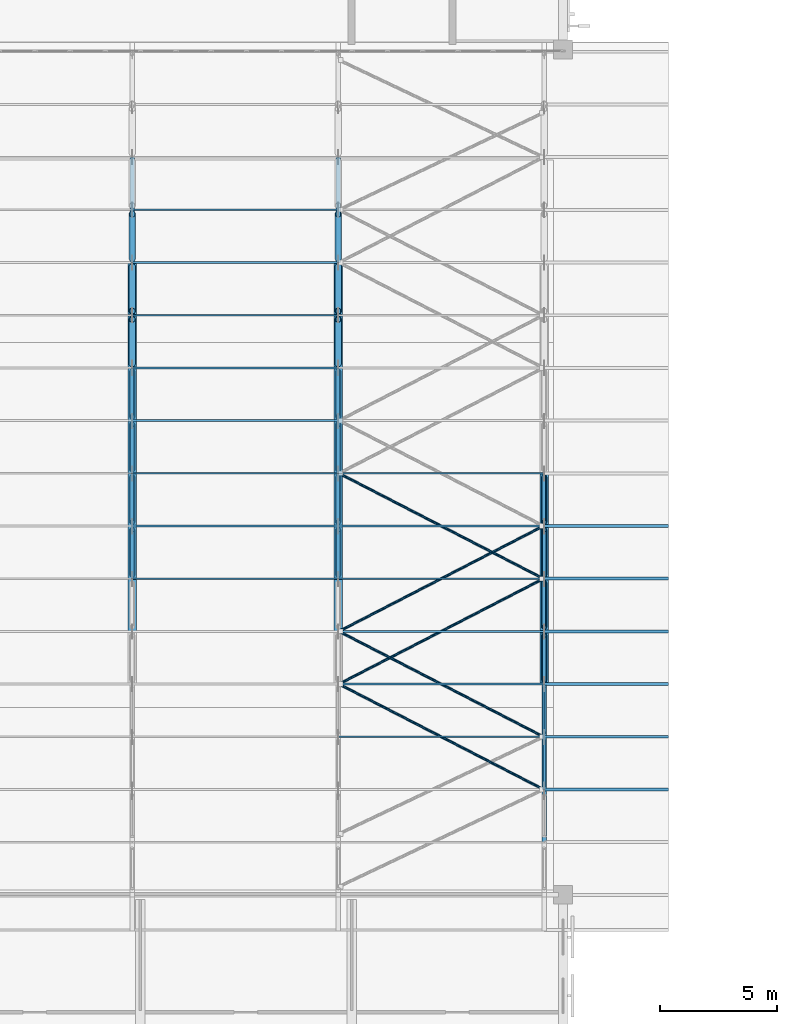
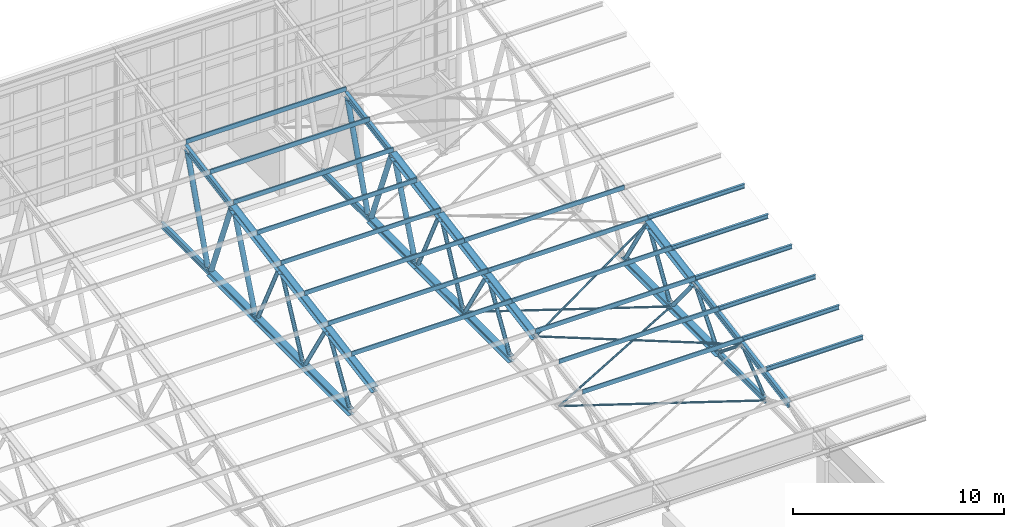
# One storey, part 63 of 185: 67 members.
"""IFC4 building model written with IfcOpenShell, lengths in metres."""

from ifc_helpers import new_model, si_unit, direction, frame, origin, origin_2d, place, context, subcontext, project, spatial, polyline, hollow_circle, i_section, outline, extrude, material, material_profile, profile_set, type_object, element, save


model = new_model("IFC4")

# Units and contexts
model_context = context("Model", 3, precision=1e-05, world=origin(), true_north=direction((0.0, 1.0)))
body_context = subcontext(model_context, "Body", "Model", "MODEL_VIEW")
ifc_project = project(units=[si_unit("LENGTHUNIT", "METRE"), si_unit("AREAUNIT", "SQUARE_METRE"), si_unit("VOLUMEUNIT", "CUBIC_METRE"), si_unit("PLANEANGLEUNIT", "RADIAN"), si_unit("MASSUNIT", "GRAM", prefix="KILO")], contexts=[model_context])

# Site, building, storey
site_placement = place(None, origin())
site = spatial("IfcSite", under=ifc_project, at=site_placement, CompositionType="ELEMENT")
building_placement = place(site_placement, origin())
building = spatial("IfcBuilding", under=site, at=building_placement, Name="Opaline Strait Convention Centre", CompositionType="ELEMENT")
storey_placement = place(building_placement, frame((0.0, 0.0, 6.0)))
storey = spatial("IfcBuildingStorey", under=building, at=storey_placement, Name="L01", CompositionType="ELEMENT", Elevation=6.0)

# Members
ifc_material = material(Name="Steel Q355B", Category="steel")
ifc_material_profile_1 = material_profile(ifc_material, i_section(OverallWidth=0.125, OverallDepth=0.25, WebThickness=0.006103515625, FlangeThickness=0.009033203125, FilletRadius=0.008056640625, at=origin_2d()), Name="HN 250x125x6x9")
ifc_profile_set_1 = profile_set([ifc_material_profile_1], Name="Steel Q355B")
member_type_1 = type_object("IfcMemberType", Name="Eaves purlin HN 250x125x6x9", PredefinedType="RAFTER", material=ifc_profile_set_1)
for number, where, z_axis, x_axis, name in (
    (1, (350.199951171875, 31.487548828125, 6.3017578125), (1.0, 0.0, 0.0), (0.0, 1.0, 0.0), "BU2 purlin line 4 bay 9"),
    (2, (350.199951171875, 33.731201171875, 6.697509765625), (1.0, 0.0, 0.0), (0.0, 1.0, 0.0), "BU2 purlin line 5 bay 9"),
    (3, (350.199951171875, 35.97509765625, 7.093017578125), (1.0, 0.0, 0.0), (0.0, 1.0, 0.0), "BU2 purlin line 6 bay 9"),
    (4, (350.199951171875, 38.21875, 7.48876953125), (1.0, 0.0, 0.0), (0.0, 1.0, 0.0), "BU2 purlin line 7 bay 9"),
    (5, (350.199951171875, 40.46240234375, 7.88427734375), (1.0, 0.0, 0.0), (0.0, 1.0, 0.0), "BU2 purlin line 8 bay 9"),
    (6, (350.199951171875, 42.706298828125, 8.280029296875), (1.0, 0.0, 0.0), (0.0, 1.0, 0.0), "BU2 purlin line 9 bay 9"),
):
    element("IfcMember", number, at=place(storey_placement, frame(where, z_axis=z_axis, x_axis=x_axis)), inside=storey, type_object=member_type_1, Name=name, PredefinedType="RAFTER", context=body_context, shape_type="SweptSolid", body=[
        extrude(i_section(OverallWidth=0.125, OverallDepth=0.25, WebThickness=0.006103515625, FlangeThickness=0.009033203125, FilletRadius=0.008056640625, at=origin_2d()), origin(), (0.0, 0.0, 1.0), 5.300048828125),
    ])
ifc_material_profile_2 = material_profile(ifc_material, hollow_circle(Radius=0.056884765625, WallThickness=0.006103515625, at=origin_2d()), Name="CHS 114x6")
ifc_profile_set_2 = profile_set([ifc_material_profile_2], Name="Steel Q355B")
member_type_2 = type_object("IfcMemberType", Name="Roof plan brace CHS 114x6", PredefinedType="BRACE", material=ifc_profile_set_2)
member_1_placement = place(storey_placement, frame((350.170654296875, 33.731201171875, 6.386962890625), z_axis=(-0.886070368026, 0.456508659211, 0.080493148605), x_axis=(-0.457994778058, -0.888954882585, 0.0)))
element("IfcMember", 7, at=member_1_placement, inside=storey, type_object=member_type_2, Name="BR1 top plane brace end bay 2 panel 2", PredefinedType="BRACE", context=body_context, shape_type="SweptSolid", body=[
    extrude(hollow_circle(Radius=0.056884765625, WallThickness=0.006103515625, at=origin_2d()), origin(), (0.0, 0.0, 1.0), 9.830078125),
])
member_2_placement = place(storey_placement, frame((341.46044921875, 38.21875, 7.17822265625), z_axis=(0.886011642776, 0.456619189308, 0.080512637645), x_axis=(-0.458106391397, 0.88889736987, 0.0)))
element("IfcMember", 8, at=member_2_placement, inside=storey, type_object=member_type_2, Name="BR1 top plane brace end bay 2 panel 3", PredefinedType="BRACE", context=body_context, shape_type="SweptSolid", body=[
    extrude(hollow_circle(Radius=0.056884765625, WallThickness=0.006103515625, at=origin_2d()), origin(), (0.0, 0.0, 1.0), 9.827880859375),
])
member_3_placement = place(storey_placement, frame((350.170654296875, 31.487548828125, 4.5), z_axis=(-0.889007130404, 0.457893352312, 0.0), x_axis=(-0.457893352312, -0.889007130404, 0.0)))
element("IfcMember", 9, at=member_3_placement, inside=storey, type_object=member_type_2, Name="BR1 bottom plane brace end bay 2 panel 2", PredefinedType="BRACE", context=body_context, shape_type="SweptSolid", body=[
    extrude(hollow_circle(Radius=0.056884765625, WallThickness=0.006103515625, at=origin_2d()), origin(), (0.0, 0.0, 1.0), 9.800537109375),
])
member_4_placement = place(storey_placement, frame((341.4580078125, 35.97509765625, 4.5), z_axis=(0.888959800704, 0.457985232003, 0.0), x_axis=(-0.457985232003, 0.888959800704, 0.0)))
element("IfcMember", 10, at=member_4_placement, inside=storey, type_object=member_type_2, Name="BR1 bottom plane brace end bay 2 panel 3", PredefinedType="BRACE", context=body_context, shape_type="SweptSolid", body=[
    extrude(hollow_circle(Radius=0.056884765625, WallThickness=0.006103515625, at=origin_2d()), origin(), (0.0, 0.0, 1.0), 9.7978515625),
])
member_5_placement = place(storey_placement, frame((350.16796875, 40.46240234375, 4.5), z_axis=(-0.88889736987, 0.458106391397, 0.0), x_axis=(-0.458106391397, -0.88889736987, 0.0)))
element("IfcMember", 11, at=member_5_placement, inside=storey, type_object=member_type_2, Name="BR1 bottom plane brace end bay 2 panel 4", PredefinedType="BRACE", context=body_context, shape_type="SweptSolid", body=[
    extrude(hollow_circle(Radius=0.056884765625, WallThickness=0.006103515625, at=origin_2d()), origin(), (0.0, 0.0, 1.0), 9.7958984375),
])
ifc_material_profile_3 = material_profile(ifc_material, outline(polyline([(-0.03759765625, -0.125), (0.03759765625, -0.125), (0.03759765625, -0.10498046875), (0.034423828125, -0.10498046875), (0.034423828125, -0.1220703125), (-0.034423828125, -0.1220703125), (-0.034423828125, 0.1220703125), (0.034423828125, 0.1220703125), (0.034423828125, 0.10498046875), (0.03759765625, 0.10498046875), (0.03759765625, 0.125), (-0.03759765625, 0.125), (-0.03759765625, -0.125)])), Name="C 250x75x20x3")
ifc_profile_set_3 = profile_set([ifc_material_profile_3], Name="Steel Q355B")
member_type_3 = type_object("IfcMemberType", Name="Roof purlin C 250x75x20x3", PredefinedType="RAFTER", material=ifc_profile_set_3)
for number, where, z_axis, x_axis, name in (
    (12, (341.4287109375, 33.731201171875, 6.697509765625), (1.0, 0.0, 0.0), (0.0, 1.0, 0.0), "BU1 purlin line 5 bay 8"),
    (13, (341.4287109375, 35.97509765625, 7.093017578125), (1.0, 0.0, 0.0), (0.0, 1.0, 0.0), "BU1 purlin line 6 bay 8"),
    (14, (341.4287109375, 38.21875, 7.48876953125), (1.0, 0.0, 0.0), (0.0, 1.0, 0.0), "BU1 purlin line 7 bay 8"),
):
    element("IfcMember", number, at=place(storey_placement, frame(where, z_axis=z_axis, x_axis=x_axis)), inside=storey, type_object=member_type_3, Name=name, PredefinedType="RAFTER", context=body_context, shape_type="SweptSolid", body=[
        extrude(outline(polyline([(-0.03759765625, -0.125), (0.03759765625, -0.125), (0.03759765625, -0.10498046875), (0.034423828125, -0.10498046875), (0.034423828125, -0.1220703125), (-0.034423828125, -0.1220703125), (-0.034423828125, 0.1220703125), (0.034423828125, 0.1220703125), (0.034423828125, 0.10498046875), (0.03759765625, 0.10498046875), (0.03759765625, 0.125), (-0.03759765625, 0.125), (-0.03759765625, -0.125)])), origin(), (0.0, 0.0, 1.0), 8.771240234375),
    ])
member_6_placement = place(storey_placement, frame((332.656982421875, 40.46240234375, 7.88427734375), z_axis=(1.0, 0.0, 0.0), x_axis=(0.0, 1.0, 0.0)))
element("IfcMember", 15, at=member_6_placement, inside=storey, type_object=member_type_3, Name="BU1 purlin line 8 bay 7", PredefinedType="RAFTER", context=body_context, shape_type="SweptSolid", body=[
    extrude(outline(polyline([(-0.03759765625, -0.125), (0.03759765625, -0.125), (0.03759765625, -0.10498046875), (0.034423828125, -0.10498046875), (0.034423828125, -0.1220703125), (-0.034423828125, -0.1220703125), (-0.034423828125, 0.1220703125), (0.034423828125, 0.1220703125), (0.034423828125, 0.10498046875), (0.03759765625, 0.10498046875), (0.03759765625, 0.125), (-0.03759765625, 0.125), (-0.03759765625, -0.125)])), origin(), (0.0, 0.0, 1.0), 8.771728515625),
])
member_7_placement = place(storey_placement, frame((341.4287109375, 40.46240234375, 7.88427734375), z_axis=(1.0, 0.0, 0.0), x_axis=(0.0, 1.0, 0.0)))
element("IfcMember", 16, at=member_7_placement, inside=storey, type_object=member_type_3, Name="BU1 purlin line 8 bay 8", PredefinedType="RAFTER", context=body_context, shape_type="SweptSolid", body=[
    extrude(outline(polyline([(-0.03759765625, -0.125), (0.03759765625, -0.125), (0.03759765625, -0.10498046875), (0.034423828125, -0.10498046875), (0.034423828125, -0.1220703125), (-0.034423828125, -0.1220703125), (-0.034423828125, 0.1220703125), (0.034423828125, 0.1220703125), (0.034423828125, 0.10498046875), (0.03759765625, 0.10498046875), (0.03759765625, 0.125), (-0.03759765625, 0.125), (-0.03759765625, -0.125)])), origin(), (0.0, 0.0, 1.0), 8.771240234375),
])
member_8_placement = place(storey_placement, frame((332.656982421875, 42.706298828125, 8.280029296875), z_axis=(1.0, 0.0, 0.0), x_axis=(0.0, 1.0, 0.0)))
element("IfcMember", 17, at=member_8_placement, inside=storey, type_object=member_type_3, Name="BU1 purlin line 9 bay 7", PredefinedType="RAFTER", context=body_context, shape_type="SweptSolid", body=[
    extrude(outline(polyline([(-0.03759765625, -0.125), (0.03759765625, -0.125), (0.03759765625, -0.10498046875), (0.034423828125, -0.10498046875), (0.034423828125, -0.1220703125), (-0.034423828125, -0.1220703125), (-0.034423828125, 0.1220703125), (0.034423828125, 0.1220703125), (0.034423828125, 0.10498046875), (0.03759765625, 0.10498046875), (0.03759765625, 0.125), (-0.03759765625, 0.125), (-0.03759765625, -0.125)])), origin(), (0.0, 0.0, 1.0), 8.771728515625),
])
member_9_placement = place(storey_placement, frame((341.4287109375, 42.706298828125, 8.280029296875), z_axis=(1.0, 0.0, 0.0), x_axis=(0.0, 1.0, 0.0)))
element("IfcMember", 18, at=member_9_placement, inside=storey, type_object=member_type_3, Name="BU1 purlin line 9 bay 8", PredefinedType="RAFTER", context=body_context, shape_type="SweptSolid", body=[
    extrude(outline(polyline([(-0.03759765625, -0.125), (0.03759765625, -0.125), (0.03759765625, -0.10498046875), (0.034423828125, -0.10498046875), (0.034423828125, -0.1220703125), (-0.034423828125, -0.1220703125), (-0.034423828125, 0.1220703125), (0.034423828125, 0.1220703125), (0.034423828125, 0.10498046875), (0.03759765625, 0.10498046875), (0.03759765625, 0.125), (-0.03759765625, 0.125), (-0.03759765625, -0.125)])), origin(), (0.0, 0.0, 1.0), 8.771240234375),
])
member_10_placement = place(storey_placement, frame((332.656982421875, 44.949951171875, 8.675537109375), z_axis=(1.0, 0.0, 0.0), x_axis=(0.0, 1.0, 0.0)))
element("IfcMember", 19, at=member_10_placement, inside=storey, type_object=member_type_3, Name="BU1 purlin line 10 bay 7", PredefinedType="RAFTER", context=body_context, shape_type="SweptSolid", body=[
    extrude(outline(polyline([(-0.03759765625, -0.125), (0.03759765625, -0.125), (0.03759765625, -0.10498046875), (0.034423828125, -0.10498046875), (0.034423828125, -0.1220703125), (-0.034423828125, -0.1220703125), (-0.034423828125, 0.1220703125), (0.034423828125, 0.1220703125), (0.034423828125, 0.10498046875), (0.03759765625, 0.10498046875), (0.03759765625, 0.125), (-0.03759765625, 0.125), (-0.03759765625, -0.125)])), origin(), (0.0, 0.0, 1.0), 8.771728515625),
])
member_11_placement = place(storey_placement, frame((341.4287109375, 44.949951171875, 8.675537109375), z_axis=(1.0, 0.0, 0.0), x_axis=(0.0, 1.0, 0.0)))
element("IfcMember", 20, at=member_11_placement, inside=storey, type_object=member_type_3, Name="BU1 purlin line 10 bay 8", PredefinedType="RAFTER", context=body_context, shape_type="SweptSolid", body=[
    extrude(outline(polyline([(-0.03759765625, -0.125), (0.03759765625, -0.125), (0.03759765625, -0.10498046875), (0.034423828125, -0.10498046875), (0.034423828125, -0.1220703125), (-0.034423828125, -0.1220703125), (-0.034423828125, 0.1220703125), (0.034423828125, 0.1220703125), (0.034423828125, 0.10498046875), (0.03759765625, 0.10498046875), (0.03759765625, 0.125), (-0.03759765625, 0.125), (-0.03759765625, -0.125)])), origin(), (0.0, 0.0, 1.0), 8.771240234375),
])
for number, where, z_axis, x_axis, name in (
    (21, (332.656982421875, 47.19384765625, 9.0712890625), (1.0, 0.0, 0.0), (0.0, 1.0, 0.0), "BU1 purlin line 11 bay 7"),
    (22, (332.656982421875, 49.4375, 9.467041015625), (1.0, 0.0, 0.0), (0.0, 1.0, 0.0), "BU1 purlin line 12 bay 7"),
    (23, (332.656982421875, 51.68115234375, 9.862548828125), (1.0, 0.0, 0.0), (0.0, 1.0, 0.0), "BU1 purlin line 13 bay 7"),
    (24, (332.656982421875, 53.925048828125, 10.25830078125), (1.0, 0.0, 0.0), (0.0, 1.0, 0.0), "BU1 purlin line 14 bay 7"),
    (25, (332.656982421875, 56.168701171875, 10.65380859375), (1.0, 0.0, 0.0), (0.0, 1.0, 0.0), "BU1 purlin line 15 bay 7"),
):
    element("IfcMember", number, at=place(storey_placement, frame(where, z_axis=z_axis, x_axis=x_axis)), inside=storey, type_object=member_type_3, Name=name, PredefinedType="RAFTER", context=body_context, shape_type="SweptSolid", body=[
        extrude(outline(polyline([(-0.03759765625, -0.125), (0.03759765625, -0.125), (0.03759765625, -0.10498046875), (0.034423828125, -0.10498046875), (0.034423828125, -0.1220703125), (-0.034423828125, -0.1220703125), (-0.034423828125, 0.1220703125), (0.034423828125, 0.1220703125), (0.034423828125, 0.10498046875), (0.03759765625, 0.10498046875), (0.03759765625, 0.125), (-0.03759765625, 0.125), (-0.03759765625, -0.125)])), origin(), (0.0, 0.0, 1.0), 8.771728515625),
    ])
ifc_material_profile_4 = material_profile(ifc_material, i_section(OverallWidth=0.175048828125, OverallDepth=0.35009765625, WebThickness=0.007080078125, FlangeThickness=0.010986328125, FilletRadius=0.012939453125, at=origin_2d()), Name="HN 350x175x7x11")
ifc_profile_set_4 = profile_set([ifc_material_profile_4], Name="Steel Q355B")
member_type_4 = type_object("IfcMemberType", Name="Truss bottom chord HN 350x175x7x11", PredefinedType="CHORD", material=ifc_profile_set_4)
for number, where, z_axis, x_axis, name in (
    (26, (332.656982421875, 53.925048828125, 4.5), (0.0, 1.0, 0.0), (-1.0, 0.0, 0.0), "BT2 bottom chord line 6 panel 7"),
    (27, (341.4287109375, 53.925048828125, 4.5), (0.0, 1.0, 0.0), (-1.0, 0.0, 0.0), "BT2 bottom chord line 7 panel 7"),
    (28, (350.199951171875, 31.487548828125, 4.5), (0.0, 1.0, 0.0), (-1.0, 0.0, 0.0), "BT2 bottom chord line 8 panel 2"),
):
    element("IfcMember", number, at=place(storey_placement, frame(where, z_axis=z_axis, x_axis=x_axis)), inside=storey, type_object=member_type_4, Name=name, PredefinedType="CHORD", context=body_context, shape_type="SweptSolid", body=[
        extrude(i_section(OverallWidth=0.175048828125, OverallDepth=0.35009765625, WebThickness=0.007080078125, FlangeThickness=0.010986328125, FilletRadius=0.012939453125, at=origin_2d()), origin(), (0.0, 0.0, 1.0), 4.487548828125),
    ])
ifc_material_profile_5 = material_profile(ifc_material, i_section(OverallWidth=0.35009765625, OverallDepth=0.35009765625, WebThickness=0.011962890625, FlangeThickness=0.01904296875, FilletRadius=0.012939453125, at=origin_2d()), Name="HW 350x350x12x19")
ifc_profile_set_5 = profile_set([ifc_material_profile_5], Name="Steel Q355B")
member_type_5 = type_object("IfcMemberType", Name="Truss bottom chord HW 350x350x12x19", PredefinedType="CHORD", material=ifc_profile_set_5)
for number, where, z_axis, x_axis, name in (
    (29, (332.656982421875, 40.46240234375, 4.5), (0.0, 1.0, 0.0), (-1.0, 0.0, 0.0), "BT4 bottom chord line 6 panel 4"),
    (30, (332.656982421875, 44.949951171875, 4.5), (0.0, 1.0, 0.0), (-1.0, 0.0, 0.0), "BT4 bottom chord line 6 panel 5"),
    (31, (332.656982421875, 49.4375, 4.5), (0.0, 1.0, 0.0), (-1.0, 0.0, 0.0), "BT4 bottom chord line 6 panel 6"),
    (32, (341.4287109375, 40.46240234375, 4.5), (0.0, 1.0, 0.0), (-1.0, 0.0, 0.0), "BT4 bottom chord line 7 panel 4"),
    (33, (341.4287109375, 44.949951171875, 4.5), (0.0, 1.0, 0.0), (-1.0, 0.0, 0.0), "BT4 bottom chord line 7 panel 5"),
    (34, (341.4287109375, 49.4375, 4.5), (0.0, 1.0, 0.0), (-1.0, 0.0, 0.0), "BT4 bottom chord line 7 panel 6"),
):
    element("IfcMember", number, at=place(storey_placement, frame(where, z_axis=z_axis, x_axis=x_axis)), inside=storey, type_object=member_type_5, Name=name, PredefinedType="CHORD", context=body_context, shape_type="SweptSolid", body=[
        extrude(i_section(OverallWidth=0.35009765625, OverallDepth=0.35009765625, WebThickness=0.011962890625, FlangeThickness=0.01904296875, FilletRadius=0.012939453125, at=origin_2d()), origin(), (0.0, 0.0, 1.0), 4.487548828125),
    ])
member_12_placement = place(storey_placement, frame((350.199951171875, 35.97509765625, 4.5), z_axis=(0.0, 1.0, 0.0), x_axis=(-1.0, 0.0, 0.0)))
element("IfcMember", 35, at=member_12_placement, inside=storey, type_object=member_type_5, Name="BT4 bottom chord line 8 panel 3", PredefinedType="CHORD", context=body_context, shape_type="SweptSolid", body=[
    extrude(i_section(OverallWidth=0.35009765625, OverallDepth=0.35009765625, WebThickness=0.011962890625, FlangeThickness=0.01904296875, FilletRadius=0.012939453125, at=origin_2d()), origin(), (0.0, 0.0, 1.0), 4.4873046875),
])
member_13_placement = place(storey_placement, frame((350.199951171875, 40.46240234375, 4.5), z_axis=(0.0, 1.0, 0.0), x_axis=(-1.0, 0.0, 0.0)))
element("IfcMember", 36, at=member_13_placement, inside=storey, type_object=member_type_5, Name="BT4 bottom chord line 8 panel 4", PredefinedType="CHORD", context=body_context, shape_type="SweptSolid", body=[
    extrude(i_section(OverallWidth=0.35009765625, OverallDepth=0.35009765625, WebThickness=0.011962890625, FlangeThickness=0.01904296875, FilletRadius=0.012939453125, at=origin_2d()), origin(), (0.0, 0.0, 1.0), 4.487548828125),
])
ifc_material_profile_6 = material_profile(ifc_material, i_section(OverallWidth=0.175048828125, OverallDepth=0.35009765625, WebThickness=0.007080078125, FlangeThickness=0.010986328125, FilletRadius=0.012939453125, at=origin_2d()), Name="HN 350x175x7x11")
ifc_profile_set_6 = profile_set([ifc_material_profile_6], Name="Steel Q355B")
member_type_6 = type_object("IfcMemberType", Name="Truss top chord HN 350x175x7x11", PredefinedType="CHORD", material=ifc_profile_set_6)
for number, where, z_axis, x_axis, name in (
    (37, (332.656982421875, 51.68115234375, 9.552001953125), (0.0, 0.984808359847, 0.173644736101), (-1.0, 0.0, 0.0), "BT1 top chord line 6 panel 8"),
    (38, (341.4287109375, 51.68115234375, 9.552001953125), (0.0, 0.984808359847, 0.173644736101), (-1.0, 0.0, 0.0), "BT1 top chord line 7 panel 8"),
    (39, (350.199951171875, 29.24365234375, 5.595703125), (0.0, 0.984808359847, 0.173644736101), (-1.0, 0.0, 0.0), "BT1 top chord line 8 panel 3"),
    (40, (350.199951171875, 33.731201171875, 6.386962890625), (0.0, 0.984808359847, 0.173644736101), (-1.0, 0.0, 0.0), "BT1 top chord line 8 panel 4"),
):
    element("IfcMember", number, at=place(storey_placement, frame(where, z_axis=z_axis, x_axis=x_axis)), inside=storey, type_object=member_type_6, Name=name, PredefinedType="CHORD", context=body_context, shape_type="SweptSolid", body=[
        extrude(i_section(OverallWidth=0.175048828125, OverallDepth=0.35009765625, WebThickness=0.007080078125, FlangeThickness=0.010986328125, FilletRadius=0.012939453125, at=origin_2d()), origin(), (0.0, 0.0, 1.0), 4.556884765625),
    ])
ifc_material_profile_7 = material_profile(ifc_material, i_section(OverallWidth=0.35009765625, OverallDepth=0.35009765625, WebThickness=0.011962890625, FlangeThickness=0.01904296875, FilletRadius=0.012939453125, at=origin_2d()), Name="HW 350x350x12x19")
ifc_profile_set_7 = profile_set([ifc_material_profile_7], Name="Steel Q355B")
member_type_7 = type_object("IfcMemberType", Name="Truss top chord HW 350x350x12x19", PredefinedType="CHORD", material=ifc_profile_set_7)
for number, where, z_axis, x_axis, name in (
    (41, (332.656982421875, 38.21875, 7.17822265625), (0.0, 0.984808359847, 0.173644736101), (-1.0, 0.0, 0.0), "BT3 top chord line 6 panel 5"),
    (42, (332.656982421875, 42.706298828125, 7.969482421875), (0.0, 0.984808359847, 0.173644736101), (-1.0, 0.0, 0.0), "BT3 top chord line 6 panel 6"),
):
    element("IfcMember", number, at=place(storey_placement, frame(where, z_axis=z_axis, x_axis=x_axis)), inside=storey, type_object=member_type_7, Name=name, PredefinedType="CHORD", context=body_context, shape_type="SweptSolid", body=[
        extrude(i_section(OverallWidth=0.35009765625, OverallDepth=0.35009765625, WebThickness=0.011962890625, FlangeThickness=0.01904296875, FilletRadius=0.012939453125, at=origin_2d()), origin(), (0.0, 0.0, 1.0), 4.556884765625),
    ])
member_14_placement = place(storey_placement, frame((332.656982421875, 47.19384765625, 8.7607421875), z_axis=(0.0, 0.984806744223, 0.173653898696), x_axis=(-1.0, 0.0, 0.0)))
element("IfcMember", 43, at=member_14_placement, inside=storey, type_object=member_type_7, Name="BT3 top chord line 6 panel 7", PredefinedType="CHORD", context=body_context, shape_type="SweptSolid", body=[
    extrude(i_section(OverallWidth=0.35009765625, OverallDepth=0.35009765625, WebThickness=0.011962890625, FlangeThickness=0.01904296875, FilletRadius=0.012939453125, at=origin_2d()), origin(), (0.0, 0.0, 1.0), 4.556640625),
])
for number, where, z_axis, x_axis, name in (
    (44, (341.4287109375, 38.21875, 7.17822265625), (0.0, 0.984808359847, 0.173644736101), (-1.0, 0.0, 0.0), "BT3 top chord line 7 panel 5"),
    (45, (341.4287109375, 42.706298828125, 7.969482421875), (0.0, 0.984808359847, 0.173644736101), (-1.0, 0.0, 0.0), "BT3 top chord line 7 panel 6"),
):
    element("IfcMember", number, at=place(storey_placement, frame(where, z_axis=z_axis, x_axis=x_axis)), inside=storey, type_object=member_type_7, Name=name, PredefinedType="CHORD", context=body_context, shape_type="SweptSolid", body=[
        extrude(i_section(OverallWidth=0.35009765625, OverallDepth=0.35009765625, WebThickness=0.011962890625, FlangeThickness=0.01904296875, FilletRadius=0.012939453125, at=origin_2d()), origin(), (0.0, 0.0, 1.0), 4.556884765625),
    ])
member_15_placement = place(storey_placement, frame((341.4287109375, 47.19384765625, 8.7607421875), z_axis=(0.0, 0.984806744223, 0.173653898696), x_axis=(-1.0, 0.0, 0.0)))
element("IfcMember", 46, at=member_15_placement, inside=storey, type_object=member_type_7, Name="BT3 top chord line 7 panel 7", PredefinedType="CHORD", context=body_context, shape_type="SweptSolid", body=[
    extrude(i_section(OverallWidth=0.35009765625, OverallDepth=0.35009765625, WebThickness=0.011962890625, FlangeThickness=0.01904296875, FilletRadius=0.012939453125, at=origin_2d()), origin(), (0.0, 0.0, 1.0), 4.556640625),
])
member_16_placement = place(storey_placement, frame((350.199951171875, 38.21875, 7.17822265625), z_axis=(0.0, 0.984808359847, 0.173644736101), x_axis=(-1.0, 0.0, 0.0)))
element("IfcMember", 47, at=member_16_placement, inside=storey, type_object=member_type_7, Name="BT3 top chord line 8 panel 5", PredefinedType="CHORD", context=body_context, shape_type="SweptSolid", body=[
    extrude(i_section(OverallWidth=0.35009765625, OverallDepth=0.35009765625, WebThickness=0.011962890625, FlangeThickness=0.01904296875, FilletRadius=0.012939453125, at=origin_2d()), origin(), (0.0, 0.0, 1.0), 4.556884765625),
])
ifc_material_profile_8 = material_profile(ifc_material, hollow_circle(Radius=0.083984375, WallThickness=0.008056640625, at=origin_2d()), Name="CHS 168x8")
ifc_profile_set_8 = profile_set([ifc_material_profile_8], Name="Steel Q355B")
member_type_8 = type_object("IfcMemberType", Name="Truss web CHS 168x8", PredefinedType="BRACE", material=ifc_profile_set_8)
member_17_placement = place(storey_placement, frame((350.199951171875, 31.6533203125, 4.678955078125), z_axis=(0.0, 0.787377696888, 0.616470893427), x_axis=(-1.0, 0.0, 0.0)))
element("IfcMember", 48, at=member_17_placement, inside=storey, type_object=member_type_8, Name="BW2 web line 8 member 3", PredefinedType="BRACE", context=body_context, shape_type="SweptSolid", body=[
    extrude(hollow_circle(Radius=0.083984375, WallThickness=0.008056640625, at=origin_2d()), origin(), (0.0, 0.0, 1.0), 2.428466796875),
])
member_18_placement = place(storey_placement, frame((350.199951171875, 35.81201171875, 4.678955078125), z_axis=(0.0, -0.776751826375, 0.629806795949), x_axis=(1.0, 0.0, 0.0)))
element("IfcMember", 49, at=member_18_placement, inside=storey, type_object=member_type_8, Name="BW2 web line 8 member 4", PredefinedType="BRACE", context=body_context, shape_type="SweptSolid", body=[
    extrude(hollow_circle(Radius=0.083984375, WallThickness=0.008056640625, at=origin_2d()), origin(), (0.0, 0.0, 1.0), 2.468994140625),
])
ifc_material_profile_9 = material_profile(ifc_material, hollow_circle(Radius=0.109619140625, WallThickness=0.010009765625, at=origin_2d()), Name="CHS 219x10")
ifc_profile_set_9 = profile_set([ifc_material_profile_9], Name="Steel Q355B")
member_type_9 = type_object("IfcMemberType", Name="Truss web CHS 219x10", PredefinedType="BRACE", material=ifc_profile_set_9)
member_19_placement = place(storey_placement, frame((332.656982421875, 40.62158203125, 4.678955078125), z_axis=(0.0, 0.530004980423, 0.847994528713), x_axis=(-1.0, 0.0, 0.0)))
element("IfcMember", 50, at=member_19_placement, inside=storey, type_object=member_type_9, Name="BW3 web line 6 member 7", PredefinedType="BRACE", context=body_context, shape_type="SweptSolid", body=[
    extrude(hollow_circle(Radius=0.109619140625, WallThickness=0.010009765625, at=origin_2d()), origin(), (0.0, 0.0, 1.0), 3.633056640625),
])
member_20_placement = place(storey_placement, frame((332.656982421875, 44.79150390625, 4.678955078125), z_axis=(0.0, -0.523401596889, 0.852086127322), x_axis=(1.0, 0.0, 0.0)))
element("IfcMember", 51, at=member_20_placement, inside=storey, type_object=member_type_9, Name="BW3 web line 6 member 8", PredefinedType="BRACE", context=body_context, shape_type="SweptSolid", body=[
    extrude(hollow_circle(Radius=0.109619140625, WallThickness=0.010009765625, at=origin_2d()), origin(), (0.0, 0.0, 1.0), 3.68115234375),
])
member_21_placement = place(storey_placement, frame((332.656982421875, 45.102294921875, 4.678955078125), z_axis=(0.0, 0.447641909675, 0.89421290569), x_axis=(-1.0, 0.0, 0.0)))
element("IfcMember", 52, at=member_21_placement, inside=storey, type_object=member_type_9, Name="BW3 web line 6 member 9", PredefinedType="BRACE", context=body_context, shape_type="SweptSolid", body=[
    extrude(hollow_circle(Radius=0.109619140625, WallThickness=0.010009765625, at=origin_2d()), origin(), (0.0, 0.0, 1.0), 4.33154296875),
])
member_22_placement = place(storey_placement, frame((332.656982421875, 49.285400390625, 4.678955078125), z_axis=(0.0, -0.44283785295, 0.896601715364), x_axis=(1.0, 0.0, 0.0)))
element("IfcMember", 53, at=member_22_placement, inside=storey, type_object=member_type_9, Name="BW3 web line 6 member 10", PredefinedType="BRACE", context=body_context, shape_type="SweptSolid", body=[
    extrude(hollow_circle(Radius=0.109619140625, WallThickness=0.010009765625, at=origin_2d()), origin(), (0.0, 0.0, 1.0), 4.379638671875),
])
member_23_placement = place(storey_placement, frame((341.4287109375, 40.62158203125, 4.678955078125), z_axis=(0.0, 0.530004980423, 0.847994528713), x_axis=(-1.0, 0.0, 0.0)))
element("IfcMember", 54, at=member_23_placement, inside=storey, type_object=member_type_9, Name="BW3 web line 7 member 7", PredefinedType="BRACE", context=body_context, shape_type="SweptSolid", body=[
    extrude(hollow_circle(Radius=0.109619140625, WallThickness=0.010009765625, at=origin_2d()), origin(), (0.0, 0.0, 1.0), 3.633056640625),
])
member_24_placement = place(storey_placement, frame((341.4287109375, 44.79150390625, 4.678955078125), z_axis=(0.0, -0.523401596889, 0.852086127322), x_axis=(1.0, 0.0, 0.0)))
element("IfcMember", 55, at=member_24_placement, inside=storey, type_object=member_type_9, Name="BW3 web line 7 member 8", PredefinedType="BRACE", context=body_context, shape_type="SweptSolid", body=[
    extrude(hollow_circle(Radius=0.109619140625, WallThickness=0.010009765625, at=origin_2d()), origin(), (0.0, 0.0, 1.0), 3.68115234375),
])
member_25_placement = place(storey_placement, frame((341.4287109375, 45.102294921875, 4.678955078125), z_axis=(0.0, 0.447641909675, 0.89421290569), x_axis=(-1.0, 0.0, 0.0)))
element("IfcMember", 56, at=member_25_placement, inside=storey, type_object=member_type_9, Name="BW3 web line 7 member 9", PredefinedType="BRACE", context=body_context, shape_type="SweptSolid", body=[
    extrude(hollow_circle(Radius=0.109619140625, WallThickness=0.010009765625, at=origin_2d()), origin(), (0.0, 0.0, 1.0), 4.33154296875),
])
member_26_placement = place(storey_placement, frame((341.4287109375, 49.285400390625, 4.678955078125), z_axis=(0.0, -0.44283785295, 0.896601715364), x_axis=(1.0, 0.0, 0.0)))
element("IfcMember", 57, at=member_26_placement, inside=storey, type_object=member_type_9, Name="BW3 web line 7 member 10", PredefinedType="BRACE", context=body_context, shape_type="SweptSolid", body=[
    extrude(hollow_circle(Radius=0.109619140625, WallThickness=0.010009765625, at=origin_2d()), origin(), (0.0, 0.0, 1.0), 4.379638671875),
])
member_27_placement = place(storey_placement, frame((350.199951171875, 36.147216796875, 4.678955078125), z_axis=(0.0, 0.638891118457, 0.769297171941), x_axis=(-1.0, 0.0, 0.0)))
element("IfcMember", 58, at=member_27_placement, inside=storey, type_object=member_type_9, Name="BW3 web line 8 member 5", PredefinedType="BRACE", context=body_context, shape_type="SweptSolid", body=[
    extrude(hollow_circle(Radius=0.109619140625, WallThickness=0.010009765625, at=origin_2d()), origin(), (0.0, 0.0, 1.0), 2.972900390625),
])
member_28_placement = place(storey_placement, frame((350.199951171875, 40.291748046875, 4.678955078125), z_axis=(0.0, -0.629570044101, 0.77694372999), x_axis=(1.0, 0.0, 0.0)))
element("IfcMember", 59, at=member_28_placement, inside=storey, type_object=member_type_9, Name="BW3 web line 8 member 6", PredefinedType="BRACE", context=body_context, shape_type="SweptSolid", body=[
    extrude(hollow_circle(Radius=0.109619140625, WallThickness=0.010009765625, at=origin_2d()), origin(), (0.0, 0.0, 1.0), 3.021728515625),
])
member_29_placement = place(storey_placement, frame((350.199951171875, 40.62158203125, 4.678955078125), z_axis=(0.0, 0.530004980423, 0.847994528713), x_axis=(-1.0, 0.0, 0.0)))
element("IfcMember", 60, at=member_29_placement, inside=storey, type_object=member_type_9, Name="BW3 web line 8 member 7", PredefinedType="BRACE", context=body_context, shape_type="SweptSolid", body=[
    extrude(hollow_circle(Radius=0.109619140625, WallThickness=0.010009765625, at=origin_2d()), origin(), (0.0, 0.0, 1.0), 3.633056640625),
])
member_30_placement = place(storey_placement, frame((350.199951171875, 44.79150390625, 4.678955078125), z_axis=(0.0, -0.523401596889, 0.852086127322), x_axis=(1.0, 0.0, 0.0)))
element("IfcMember", 61, at=member_30_placement, inside=storey, type_object=member_type_9, Name="BW3 web line 8 member 8", PredefinedType="BRACE", context=body_context, shape_type="SweptSolid", body=[
    extrude(hollow_circle(Radius=0.109619140625, WallThickness=0.010009765625, at=origin_2d()), origin(), (0.0, 0.0, 1.0), 3.68115234375),
])
ifc_material_profile_10 = material_profile(ifc_material, hollow_circle(Radius=0.136474609375, WallThickness=0.011962890625, at=origin_2d()), Name="CHS 273x12")
ifc_profile_set_10 = profile_set([ifc_material_profile_10], Name="Steel Q355B")
member_type_10 = type_object("IfcMemberType", Name="Truss web CHS 273x12", PredefinedType="BRACE", material=ifc_profile_set_10)
member_31_placement = place(storey_placement, frame((332.656982421875, 49.61474609375, 4.678955078125), z_axis=(0.0, 0.375689331062, 0.926745664423), x_axis=(-1.0, 0.0, 0.0)))
element("IfcMember", 62, at=member_31_placement, inside=storey, type_object=member_type_10, Name="BW4 web line 6 member 11", PredefinedType="BRACE", context=body_context, shape_type="SweptSolid", body=[
    extrude(hollow_circle(Radius=0.136474609375, WallThickness=0.011962890625, at=origin_2d()), origin(), (0.0, 0.0, 1.0), 5.028564453125),
])
member_32_placement = place(storey_placement, frame((332.656982421875, 53.748046875, 4.678955078125), z_axis=(0.0, -0.371547903904, 0.928413784422), x_axis=(1.0, 0.0, 0.0)))
element("IfcMember", 63, at=member_32_placement, inside=storey, type_object=member_type_10, Name="BW4 web line 6 member 12", PredefinedType="BRACE", context=body_context, shape_type="SweptSolid", body=[
    extrude(hollow_circle(Radius=0.136474609375, WallThickness=0.011962890625, at=origin_2d()), origin(), (0.0, 0.0, 1.0), 5.08642578125),
])
member_33_placement = place(storey_placement, frame((332.656982421875, 54.099365234375, 4.678955078125), z_axis=(0.0, 0.328320466783, 0.944566393162), x_axis=(-1.0, 0.0, 0.0)))
element("IfcMember", 64, at=member_33_placement, inside=storey, type_object=member_type_10, Name="BW4 web line 6 member 13", PredefinedType="BRACE", context=body_context, shape_type="SweptSolid", body=[
    extrude(hollow_circle(Radius=0.136474609375, WallThickness=0.011962890625, at=origin_2d()), origin(), (0.0, 0.0, 1.0), 5.77197265625),
])
member_34_placement = place(storey_placement, frame((341.4287109375, 49.61474609375, 4.678955078125), z_axis=(0.0, 0.375689331062, 0.926745664423), x_axis=(-1.0, 0.0, 0.0)))
element("IfcMember", 65, at=member_34_placement, inside=storey, type_object=member_type_10, Name="BW4 web line 7 member 11", PredefinedType="BRACE", context=body_context, shape_type="SweptSolid", body=[
    extrude(hollow_circle(Radius=0.136474609375, WallThickness=0.011962890625, at=origin_2d()), origin(), (0.0, 0.0, 1.0), 5.028564453125),
])
member_35_placement = place(storey_placement, frame((341.4287109375, 53.748046875, 4.678955078125), z_axis=(0.0, -0.371547903904, 0.928413784422), x_axis=(1.0, 0.0, 0.0)))
element("IfcMember", 66, at=member_35_placement, inside=storey, type_object=member_type_10, Name="BW4 web line 7 member 12", PredefinedType="BRACE", context=body_context, shape_type="SweptSolid", body=[
    extrude(hollow_circle(Radius=0.136474609375, WallThickness=0.011962890625, at=origin_2d()), origin(), (0.0, 0.0, 1.0), 5.08642578125),
])
member_36_placement = place(storey_placement, frame((341.4287109375, 54.099365234375, 4.678955078125), z_axis=(0.0, 0.328320466783, 0.944566393162), x_axis=(-1.0, 0.0, 0.0)))
element("IfcMember", 67, at=member_36_placement, inside=storey, type_object=member_type_10, Name="BW4 web line 7 member 13", PredefinedType="BRACE", context=body_context, shape_type="SweptSolid", body=[
    extrude(hollow_circle(Radius=0.136474609375, WallThickness=0.011962890625, at=origin_2d()), origin(), (0.0, 0.0, 1.0), 5.77197265625),
])

save(model, "model.ifc")
